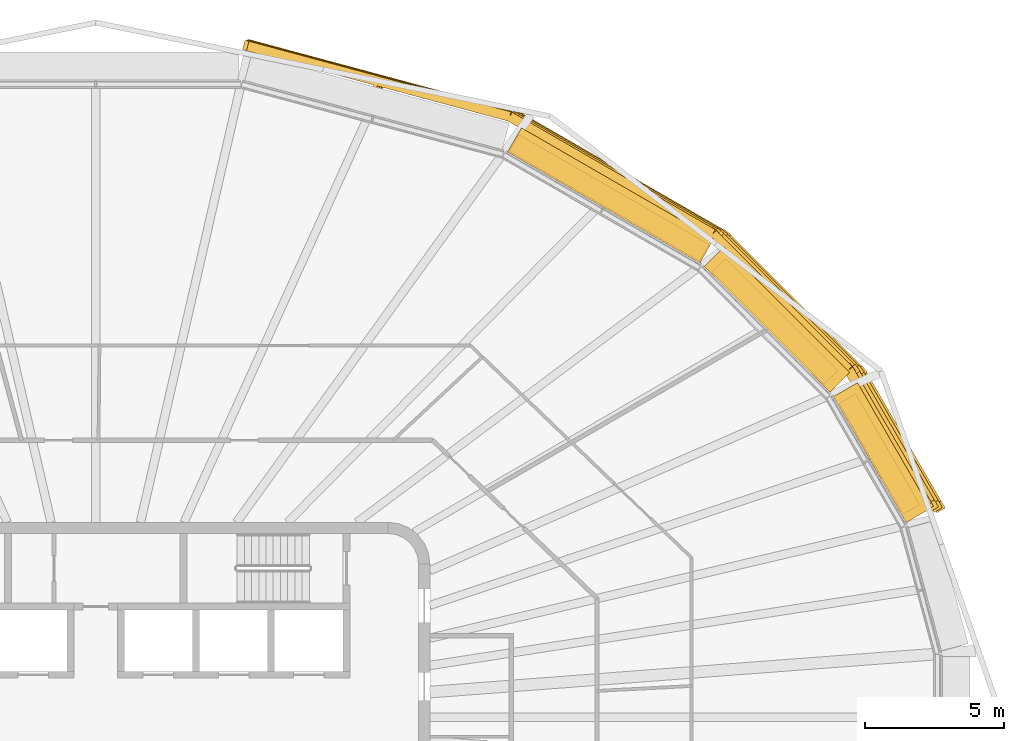
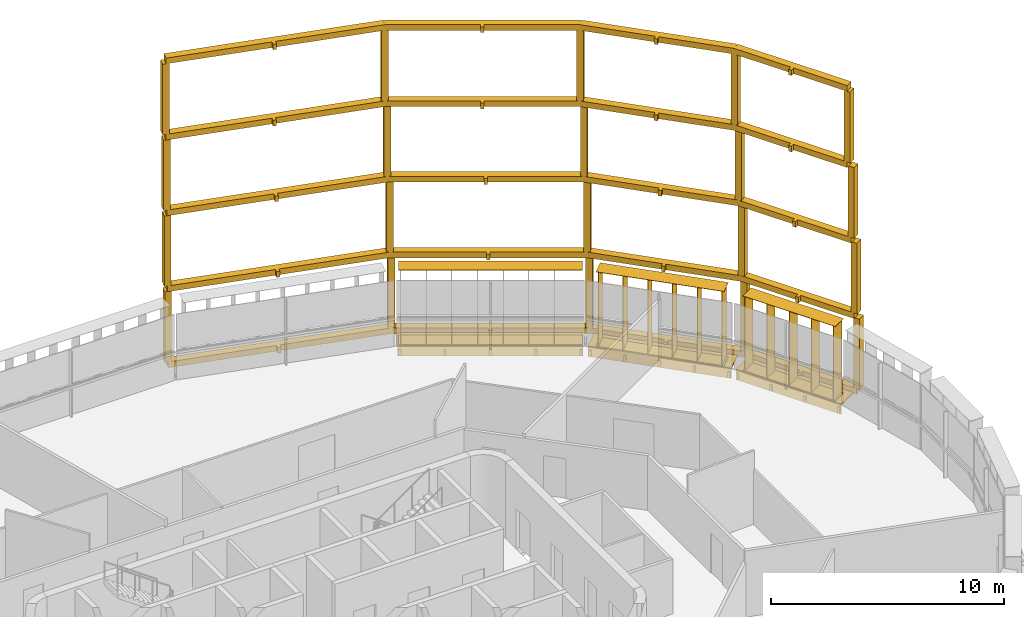
# One storey, part 20 of 20: 7 shading devices.
"""IFC4 building model written with IfcOpenShell, lengths in metres."""

from ifc_helpers import new_model, si_unit, direction, frame, origin, origin_2d, place, context, subcontext, project, spatial, polyline, rectangle, outline, extrude, material, type_object, element, save


model = new_model("IFC4")

# Units and contexts
model_context = context("Model", 3, precision=1e-05, world=origin(), true_north=direction((0.0, 1.0)))
body_context = subcontext(model_context, "Body", "Model", "MODEL_VIEW")
ifc_project = project(units=[si_unit("LENGTHUNIT", "METRE"), si_unit("AREAUNIT", "SQUARE_METRE"), si_unit("VOLUMEUNIT", "CUBIC_METRE"), si_unit("PLANEANGLEUNIT", "RADIAN"), si_unit("MASSUNIT", "GRAM", prefix="KILO")], contexts=[model_context])

# Site, building, storey
site_placement = place(None, origin())
site = spatial("IfcSite", under=ifc_project, at=site_placement, CompositionType="ELEMENT")
building_placement = place(site_placement, origin())
building = spatial("IfcBuilding", under=site, at=building_placement, Name="Sahrelin Media Tower", CompositionType="ELEMENT")
storey_placement = place(building_placement, frame((0.0, 0.0, 255.0)))
storey = spatial("IfcBuildingStorey", under=building, at=storey_placement, Name="L55", CompositionType="ELEMENT", Elevation=255.0)

# Shading devices
ifc_material_1 = material(Name="Dark bronze anodised aluminium 6063-T6", Category="aluminium")
shading_device_type_1 = type_object("IfcShadingDeviceType", Name="Deep frame", PredefinedType="USERDEFINED", material=ifc_material_1)
shading_device_1_placement = place(storey_placement, frame((29.141357421875, 6.89404296875, 0.0), z_axis=(0.0, 0.0, 1.0), x_axis=(0.500011000363, -0.866019052629, 0.0)))
element("IfcShadingDevice", 1, at=shading_device_1_placement, inside=storey, type_object=shading_device_type_1, Name="L55:FRAME:F5-1", ObjectType="FRAME", PredefinedType="USERDEFINED", context=body_context, shape_type="SweptSolid", body=[
    extrude(rectangle(XDim=0.300048828125, YDim=0.35009765625, at=origin_2d()), frame((0.0, 1.324951171875, 0.14990234375), z_axis=(0.0, 0.0, 1.0), x_axis=(-1.0, 0.0, 0.0)), (0.0, 0.0, 1.0), 3.7001953125),
    extrude(rectangle(XDim=0.300048828125, YDim=0.35009765625, at=origin_2d()), frame((-5.598388671875, 1.313720703125, 0.14990234375), z_axis=(0.0, 0.0, 1.0), x_axis=(-0.991436202368, -0.130591947046, 0.0)), (0.0, 0.0, 1.0), 3.7001953125),
    extrude(rectangle(XDim=0.300048828125, YDim=0.35009765625, at=origin_2d()), frame((-12.28759765625, -0.478759765625, 0.14990234375), z_axis=(0.0, 0.0, 1.0), x_axis=(-0.923876860854, -0.382689882252, 0.0)), (0.0, 0.0, 1.0), 3.7001953125),
    extrude(rectangle(XDim=0.300048828125, YDim=0.35009765625, at=origin_2d()), frame((-19.67138671875, -4.741455078125, 0.14990234375), z_axis=(0.0, 0.0, 1.0), x_axis=(-0.793315089117, -0.608811275668, 0.0)), (0.0, 0.0, 1.0), 3.7001953125),
    extrude(rectangle(XDim=0.300048828125, YDim=0.35009765625, at=origin_2d()), frame((-26.71728515625, -11.771484375, 0.14990234375), z_axis=(0.0, 0.0, 1.0), x_axis=(-0.707106781187, -0.707106781187, 0.0)), (0.0, 0.0, 1.0), 3.7001953125),
    extrude(outline(polyline([(-2.787841796875, 0.969970703125), (-2.6376953125, 0.969970703125), (-2.6376953125, 1.144775390625), (0.00048828125, 1.14990234375), (-0.00048828125, 1.5), (-5.598876953125, 1.48876953125), (-5.598388671875, 1.313720703125), (-5.643798828125, 1.482666015625), (-12.3330078125, -0.3095703125), (-12.28759765625, -0.478759765625), (-12.375244140625, -0.3271484375), (-19.7587890625, -4.590087890625), (-19.67138671875, -4.741455078125), (-19.794921875, -4.61767578125), (-26.8408203125, -11.647705078125), (-26.59375, -11.8955078125), (-23.184814453125, -8.494384765625), (-23.0615234375, -8.617919921875), (-22.955322265625, -8.51171875), (-23.07861328125, -8.388427734375), (-19.56396484375, -4.881591796875), (-15.956787109375, -2.79931640625), (-15.87255859375, -2.9453125), (-15.74267578125, -2.8701171875), (-15.826904296875, -2.72412109375), (-12.22021484375, -0.641845703125), (-8.97021484375, 0.22900390625), (-8.926513671875, 0.066162109375), (-8.78173828125, 0.10498046875), (-8.825439453125, 0.267822265625), (-5.5751953125, 1.138671875), (-2.787841796875, 1.144287109375), (-2.787841796875, 0.969970703125)])), frame((0.0, 0.0, -0.14990234375)), (0.0, 0.0, 1.0), 0.2998046875),
    extrude(rectangle(XDim=0.300048828125, YDim=0.35009765625, at=origin_2d()), frame((-0.0654296875, 1.242919921875, 4.14990234375), z_axis=(0.0, 0.0, 1.0), x_axis=(-1.0, 0.0, 0.0)), (0.0, 0.0, 1.0), 3.7001953125),
    extrude(rectangle(XDim=0.300048828125, YDim=0.35009765625, at=origin_2d()), frame((-5.669677734375, 1.2314453125, 4.14990234375), z_axis=(0.0, 0.0, 1.0), x_axis=(-0.991447594891, -0.130505427419, 0.0)), (0.0, 0.0, 1.0), 3.7001953125),
    extrude(rectangle(XDim=0.300048828125, YDim=0.35009765625, at=origin_2d()), frame((-12.35400390625, -0.5595703125, 4.14990234375), z_axis=(0.0, 0.0, 1.0), x_axis=(-0.923876860854, -0.382689882252, 0.0)), (0.0, 0.0, 1.0), 3.7001953125),
    extrude(rectangle(XDim=0.300048828125, YDim=0.35009765625, at=origin_2d()), frame((-19.715576171875, -4.809814453125, 4.14990234375), z_axis=(0.0, 0.0, 1.0), x_axis=(-0.793352277801, -0.608762813671, 0.0)), (0.0, 0.0, 1.0), 3.7001953125),
    extrude(rectangle(XDim=0.300048828125, YDim=0.35009765625, at=origin_2d()), frame((-26.7255859375, -11.8037109375, 4.14990234375), z_axis=(0.0, 0.0, 1.0), x_axis=(-0.707106781187, -0.707106781187, 0.0)), (0.0, 0.0, 1.0), 3.7001953125),
    extrude(outline(polyline([(-2.856201171875, 0.8876953125), (-2.7060546875, 0.8876953125), (-2.7060546875, 1.0625), (-0.065185546875, 1.06787109375), (-0.06591796875, 1.417724609375), (-5.670166015625, 1.406494140625), (-5.669677734375, 1.2314453125), (-5.715087890625, 1.400390625), (-12.399169921875, -0.390625), (-12.35400390625, -0.5595703125), (-12.44140625, -0.407958984375), (-19.802978515625, -4.658203125), (-19.715576171875, -4.809814453125), (-19.839111328125, -4.685791015625), (-26.84912109375, -11.679931640625), (-26.60205078125, -11.927490234375), (-23.211181640625, -8.544677734375), (-23.087890625, -8.66796875), (-22.981689453125, -8.56201171875), (-23.10498046875, -8.438720703125), (-19.6083984375, -4.949951171875), (-16.01220703125, -2.873779296875), (-15.927978515625, -3.019775390625), (-15.798095703125, -2.94482421875), (-15.88232421875, -2.798828125), (-12.286376953125, -0.72265625), (-9.0390625, 0.1474609375), (-8.995361328125, -0.015380859375), (-8.850341796875, 0.0234375), (-8.89404296875, 0.186279296875), (-5.646484375, 1.056396484375), (-2.856201171875, 1.06201171875), (-2.856201171875, 0.8876953125)])), frame((0.0, 0.0, 3.85009765625)), (0.0, 0.0, 1.0), 0.2998046875),
    extrude(rectangle(XDim=0.300048828125, YDim=0.35009765625, at=origin_2d()), frame((-0.154052734375, 1.131591796875, 8.14990234375), z_axis=(0.0, 0.0, 1.0), x_axis=(-1.0, 0.0, 0.0)), (0.0, 0.0, 1.0), 3.7001953125),
    extrude(rectangle(XDim=0.300048828125, YDim=0.35009765625, at=origin_2d()), frame((-5.76611328125, 1.120361328125, 8.14990234375), z_axis=(0.0, 0.0, 1.0), x_axis=(-0.991449189241, -0.130493314592, 0.0)), (0.0, 0.0, 1.0), 3.7001953125),
    extrude(rectangle(XDim=0.300048828125, YDim=0.35009765625, at=origin_2d()), frame((-12.443603515625, -0.668701171875, 8.14990234375), z_axis=(0.0, 0.0, 1.0), x_axis=(-0.923876860854, -0.382689882252, 0.0)), (0.0, 0.0, 1.0), 3.7001953125),
    extrude(rectangle(XDim=0.300048828125, YDim=0.35009765625, at=origin_2d()), frame((-19.775390625, -4.902099609375, 8.14990234375), z_axis=(0.0, 0.0, 1.0), x_axis=(-0.793400087474, -0.608700502051, 0.0)), (0.0, 0.0, 1.0), 3.7001953125),
    extrude(rectangle(XDim=0.300048828125, YDim=0.35009765625, at=origin_2d()), frame((-26.73681640625, -11.84716796875, 8.14990234375), z_axis=(0.0, 0.0, 1.0), x_axis=(-0.707106781187, -0.707106781187, 0.0)), (0.0, 0.0, 1.0), 3.7001953125),
    extrude(outline(polyline([(-2.948486328125, 0.776611328125), (-2.798583984375, 0.776611328125), (-2.798583984375, 0.951416015625), (-0.15380859375, 0.956787109375), (-0.154296875, 1.306640625), (-5.766357421875, 1.29541015625), (-5.76611328125, 1.120361328125), (-5.811279296875, 1.289306640625), (-12.48876953125, -0.499755859375), (-12.443603515625, -0.668701171875), (-12.531005859375, -0.517333984375), (-19.86279296875, -4.75048828125), (-19.775390625, -4.902099609375), (-19.89892578125, -4.778076171875), (-26.8603515625, -11.72314453125), (-26.613037109375, -11.970947265625), (-23.24658203125, -8.6123046875), (-23.123291015625, -8.735595703125), (-23.01708984375, -8.629638671875), (-23.140380859375, -8.50634765625), (-19.668212890625, -5.0419921875), (-16.0869140625, -2.974365234375), (-16.002685546875, -3.12060546875), (-15.872802734375, -3.04541015625), (-15.95703125, -2.8994140625), (-12.3759765625, -0.831787109375), (-9.1318359375, 0.037353515625), (-9.08837890625, -0.12548828125), (-8.943359375, -0.0869140625), (-8.987060546875, 0.076171875), (-5.742919921875, 0.945556640625), (-2.948486328125, 0.951171875), (-2.948486328125, 0.776611328125)])), frame((0.0, 0.0, 7.85009765625)), (0.0, 0.0, 1.0), 0.2998046875),
    extrude(rectangle(XDim=0.300048828125, YDim=0.35009765625, at=origin_2d()), frame((-0.26611328125, 0.991943359375, 12.14990234375), z_axis=(0.0, 0.0, 1.0), x_axis=(-1.0, 0.0, 0.0)), (0.0, 0.0, 1.0), 3.7001953125),
    extrude(rectangle(XDim=0.300048828125, YDim=0.35009765625, at=origin_2d()), frame((-5.8876953125, 0.98046875, 12.14990234375), z_axis=(0.0, 0.0, 1.0), x_axis=(-0.991447594891, -0.130505427419, 0.0)), (0.0, 0.0, 1.0), 3.7001953125),
    extrude(rectangle(XDim=0.300048828125, YDim=0.35009765625, at=origin_2d()), frame((-12.556396484375, -0.806396484375, 12.14990234375), z_axis=(0.0, 0.0, 1.0), x_axis=(-0.923912256654, -0.382604419741, 0.0)), (0.0, 0.0, 1.0), 3.7001953125),
    extrude(rectangle(XDim=0.300048828125, YDim=0.35009765625, at=origin_2d()), frame((-19.8505859375, -5.017578125, 12.14990234375), z_axis=(0.0, 0.0, 1.0), x_axis=(-0.793315089117, -0.608811275668, 0.0)), (0.0, 0.0, 1.0), 3.7001953125),
    extrude(rectangle(XDim=0.300048828125, YDim=0.35009765625, at=origin_2d()), frame((-26.75048828125, -11.901611328125, 12.14990234375), z_axis=(0.0, 0.0, 1.0), x_axis=(-0.707106781187, -0.707106781187, 0.0)), (0.0, 0.0, 1.0), 3.7001953125),
    extrude(outline(polyline([(-3.0654296875, 0.63671875), (-2.915283203125, 0.63671875), (-2.915283203125, 0.8115234375), (-0.265625, 0.81689453125), (-0.266357421875, 1.1669921875), (-5.887939453125, 1.155517578125), (-5.8876953125, 0.98046875), (-5.93310546875, 1.1494140625), (-12.6015625, -0.63720703125), (-12.556396484375, -0.806396484375), (-12.643798828125, -0.65478515625), (-19.93798828125, -4.8662109375), (-19.8505859375, -5.017578125), (-19.97412109375, -4.893798828125), (-26.874267578125, -11.777587890625), (-26.626953125, -12.025390625), (-23.291015625, -8.697509765625), (-23.167724609375, -8.82080078125), (-23.061767578125, -8.71484375), (-23.184814453125, -8.591552734375), (-19.7431640625, -5.15771484375), (-16.180908203125, -3.10107421875), (-16.0966796875, -3.247314453125), (-15.966796875, -3.172119140625), (-16.051025390625, -3.026123046875), (-12.48876953125, -0.969482421875), (-9.2490234375, -0.101318359375), (-9.20556640625, -0.264404296875), (-9.060546875, -0.2255859375), (-9.104248046875, -0.0625), (-5.864501953125, 0.805419921875), (-3.0654296875, 0.811279296875), (-3.0654296875, 0.63671875)])), frame((0.0, 0.0, 11.85009765625)), (0.0, 0.0, 1.0), 0.2998046875),
    extrude(outline(polyline([(-3.0654296875, 0.63671875), (-2.915283203125, 0.63671875), (-2.915283203125, 0.8115234375), (-0.265625, 0.81689453125), (-0.266357421875, 1.1669921875), (-5.887939453125, 1.155517578125), (-5.8876953125, 0.98046875), (-5.93310546875, 1.1494140625), (-12.6015625, -0.63720703125), (-12.556396484375, -0.806396484375), (-12.643798828125, -0.65478515625), (-19.93798828125, -4.8662109375), (-19.8505859375, -5.017578125), (-19.97412109375, -4.893798828125), (-26.874267578125, -11.777587890625), (-26.626953125, -12.025390625), (-23.291015625, -8.697509765625), (-23.167724609375, -8.82080078125), (-23.061767578125, -8.71484375), (-23.184814453125, -8.591552734375), (-19.7431640625, -5.15771484375), (-16.180908203125, -3.10107421875), (-16.0966796875, -3.247314453125), (-15.966796875, -3.172119140625), (-16.051025390625, -3.026123046875), (-12.48876953125, -0.969482421875), (-9.2490234375, -0.101318359375), (-9.20556640625, -0.264404296875), (-9.060546875, -0.2255859375), (-9.104248046875, -0.0625), (-5.864501953125, 0.805419921875), (-3.0654296875, 0.811279296875), (-3.0654296875, 0.63671875)])), frame((0.0, 0.0, 15.85009765625)), (0.0, 0.0, 1.0), 0.2998046875),
])
ifc_material_2 = material(Name="Champagne anodised aluminium 6063-T6", Category="aluminium")
shading_device_type_2 = type_object("IfcShadingDeviceType", Name="Fin cassette", PredefinedType="USERDEFINED", material=ifc_material_2)
placement_1 = place(storey_placement, frame((27.784912109375, 9.243408203125, 0.0), z_axis=(0.0, 0.0, 1.0), x_axis=(0.500011000363, -0.866019052629, 0.0)))
element("IfcShadingDevice", 2, at=placement_1, inside=storey, type_object=shading_device_type_2, Name="L55:FIN:L55-02", ObjectType="FIN", PredefinedType="USERDEFINED", context=body_context, shape_type="SweptSolid", body=[
    extrude(rectangle(XDim=4.60009765625, YDim=0.699951171875, at=origin_2d()), frame((0.0, 0.419921875, 0.0)), (0.0, 0.0, 1.0), 0.02001953125),
    extrude(rectangle(XDim=4.60009765625, YDim=0.699951171875, at=origin_2d()), frame((0.0, 0.419921875, 3.89990234375)), (0.0, 0.0, 1.0), 0.02001953125),
    extrude(rectangle(XDim=0.02001953125, YDim=0.699951171875, at=origin_2d()), frame((-2.199951171875, 0.419921875, 0.010009765625), z_axis=(0.0, 0.0, 1.0), x_axis=(1.0, 0.0, 0.0)), (0.0, 0.0, 1.0), 3.89990234375),
    extrude(rectangle(XDim=0.02001953125, YDim=0.699951171875, at=origin_2d()), frame((-1.10009765625, 0.419921875, 0.010009765625), z_axis=(0.0, 0.0, 1.0), x_axis=(1.0, 0.0, 0.0)), (0.0, 0.0, 1.0), 3.89990234375),
    extrude(rectangle(XDim=0.02001953125, YDim=0.699951171875, at=origin_2d()), frame((0.0, 0.419921875, 0.010009765625), z_axis=(0.0, 0.0, 1.0), x_axis=(1.0, 0.0, 0.0)), (0.0, 0.0, 1.0), 3.89990234375),
    extrude(rectangle(XDim=0.02001953125, YDim=0.699951171875, at=origin_2d()), frame((1.10009765625, 0.419921875, 0.010009765625), z_axis=(0.0, 0.0, 1.0), x_axis=(1.0, 0.0, 0.0)), (0.0, 0.0, 1.0), 3.89990234375),
    extrude(rectangle(XDim=0.02001953125, YDim=0.699951171875, at=origin_2d()), frame((2.199951171875, 0.419921875, 0.010009765625), z_axis=(0.0, 0.0, 1.0), x_axis=(1.0, 0.0, 0.0)), (0.0, 0.0, 1.0), 3.89990234375),
])
placement_2 = place(storey_placement, frame((24.102294921875, 13.9189453125, 0.0), z_axis=(0.0, 0.0, 1.0), x_axis=(0.707106781187, -0.707106781187, 0.0)))
element("IfcShadingDevice", 3, at=placement_2, inside=storey, type_object=shading_device_type_2, Name="L55:FIN:L55-03", ObjectType="FIN", PredefinedType="USERDEFINED", context=body_context, shape_type="SweptSolid", body=[
    extrude(rectangle(XDim=5.699951171875, YDim=0.699951171875, at=origin_2d()), frame((0.0, 0.419921875, 0.0)), (0.0, 0.0, 1.0), 0.02001953125),
    extrude(rectangle(XDim=5.699951171875, YDim=0.699951171875, at=origin_2d()), frame((0.0, 0.419921875, 3.89990234375)), (0.0, 0.0, 1.0), 0.02001953125),
    extrude(rectangle(XDim=0.02001953125, YDim=0.699951171875, at=origin_2d()), frame((-2.75, 0.419921875, 0.010009765625), z_axis=(0.0, 0.0, 1.0), x_axis=(1.0, 0.0, 0.0)), (0.0, 0.0, 1.0), 3.89990234375),
    extrude(rectangle(XDim=0.02001953125, YDim=0.699951171875, at=origin_2d()), frame((-1.64990234375, 0.419921875, 0.010009765625), z_axis=(0.0, 0.0, 1.0), x_axis=(1.0, 0.0, 0.0)), (0.0, 0.0, 1.0), 3.89990234375),
    extrude(rectangle(XDim=0.02001953125, YDim=0.699951171875, at=origin_2d()), frame((-0.550048828125, 0.419921875, 0.010009765625), z_axis=(0.0, 0.0, 1.0), x_axis=(1.0, 0.0, 0.0)), (0.0, 0.0, 1.0), 3.89990234375),
    extrude(rectangle(XDim=0.02001953125, YDim=0.699951171875, at=origin_2d()), frame((0.550048828125, 0.419921875, 0.010009765625), z_axis=(0.0, 0.0, 1.0), x_axis=(1.0, 0.0, 0.0)), (0.0, 0.0, 1.0), 3.89990234375),
    extrude(rectangle(XDim=0.02001953125, YDim=0.699951171875, at=origin_2d()), frame((1.64990234375, 0.419921875, 0.010009765625), z_axis=(0.0, 0.0, 1.0), x_axis=(1.0, 0.0, 0.0)), (0.0, 0.0, 1.0), 3.89990234375),
    extrude(rectangle(XDim=0.02001953125, YDim=0.699951171875, at=origin_2d()), frame((2.75, 0.419921875, 0.010009765625), z_axis=(0.0, 0.0, 1.0), x_axis=(1.0, 0.0, 0.0)), (0.0, 0.0, 1.0), 3.89990234375),
])
placement_3 = place(storey_placement, frame((18.234375, 18.2900390625, 0.0), z_axis=(0.0, 0.0, 1.0), x_axis=(0.866019052629, -0.500011000363, 0.0)))
element("IfcShadingDevice", 4, at=placement_3, inside=storey, type_object=shading_device_type_2, Name="L55:FIN:L55-04", ObjectType="FIN", PredefinedType="USERDEFINED", context=body_context, shape_type="SweptSolid", body=[
    extrude(rectangle(XDim=7.89990234375, YDim=0.699951171875, at=origin_2d()), frame((0.0, 0.419921875, 0.0)), (0.0, 0.0, 1.0), 0.02001953125),
    extrude(rectangle(XDim=7.89990234375, YDim=0.699951171875, at=origin_2d()), frame((0.0, 0.419921875, 3.89990234375)), (0.0, 0.0, 1.0), 0.02001953125),
    extrude(rectangle(XDim=0.02001953125, YDim=0.699951171875, at=origin_2d()), frame((-3.85009765625, 0.419921875, 0.010009765625), z_axis=(0.0, 0.0, 1.0), x_axis=(1.0, 0.0, 0.0)), (0.0, 0.0, 1.0), 3.89990234375),
    extrude(rectangle(XDim=0.02001953125, YDim=0.699951171875, at=origin_2d()), frame((-2.75, 0.419921875, 0.010009765625), z_axis=(0.0, 0.0, 1.0), x_axis=(1.0, 0.0, 0.0)), (0.0, 0.0, 1.0), 3.89990234375),
    extrude(rectangle(XDim=0.02001953125, YDim=0.699951171875, at=origin_2d()), frame((-1.64990234375, 0.419921875, 0.010009765625), z_axis=(0.0, 0.0, 1.0), x_axis=(1.0, 0.0, 0.0)), (0.0, 0.0, 1.0), 3.89990234375),
    extrude(rectangle(XDim=0.02001953125, YDim=0.699951171875, at=origin_2d()), frame((-0.550048828125, 0.419921875, 0.010009765625), z_axis=(0.0, 0.0, 1.0), x_axis=(1.0, 0.0, 0.0)), (0.0, 0.0, 1.0), 3.89990234375),
    extrude(rectangle(XDim=0.02001953125, YDim=0.699951171875, at=origin_2d()), frame((0.550048828125, 0.419921875, 0.010009765625), z_axis=(0.0, 0.0, 1.0), x_axis=(1.0, 0.0, 0.0)), (0.0, 0.0, 1.0), 3.89990234375),
    extrude(rectangle(XDim=0.02001953125, YDim=0.699951171875, at=origin_2d()), frame((1.64990234375, 0.419921875, 0.010009765625), z_axis=(0.0, 0.0, 1.0), x_axis=(1.0, 0.0, 0.0)), (0.0, 0.0, 1.0), 3.89990234375),
    extrude(rectangle(XDim=0.02001953125, YDim=0.699951171875, at=origin_2d()), frame((2.75, 0.419921875, 0.010009765625), z_axis=(0.0, 0.0, 1.0), x_axis=(1.0, 0.0, 0.0)), (0.0, 0.0, 1.0), 3.89990234375),
    extrude(rectangle(XDim=0.02001953125, YDim=0.699951171875, at=origin_2d()), frame((3.85009765625, 0.419921875, 0.010009765625), z_axis=(0.0, 0.0, 1.0), x_axis=(1.0, 0.0, 0.0)), (0.0, 0.0, 1.0), 3.89990234375),
])
shading_device_type_3 = type_object("IfcShadingDeviceType", Name="Sunshade band", PredefinedType="USERDEFINED", material=ifc_material_2)
element("IfcShadingDevice", 5, at=placement_1, inside=storey, type_object=shading_device_type_3, Name="L55:SUN:L55-02", ObjectType="SUNSHADE", PredefinedType="USERDEFINED", context=body_context, shape_type="SweptSolid", body=[
    extrude(rectangle(XDim=5.2255859375, YDim=0.050048828125, at=origin_2d()), frame((0.0, 0.044921875, -0.55126953125)), (0.0, 0.0, 1.0), 0.471435546875),
    extrude(rectangle(XDim=5.2255859375, YDim=1.0, at=origin_2d()), frame((0.0, 0.52001953125, -0.080078125)), (0.0, 0.0, 1.0), 0.080078125),
    extrude(rectangle(XDim=0.10009765625, YDim=0.074951171875, at=origin_2d()), frame((-2.5126953125, -0.017578125, -0.47021484375)), (0.0, 0.0, 1.0), 0.300048828125),
    extrude(rectangle(XDim=0.10009765625, YDim=0.074951171875, at=origin_2d()), frame((-0.837646484375, -0.017578125, -0.47021484375)), (0.0, 0.0, 1.0), 0.300048828125),
    extrude(rectangle(XDim=0.10009765625, YDim=0.074951171875, at=origin_2d()), frame((0.837646484375, -0.017578125, -0.47021484375)), (0.0, 0.0, 1.0), 0.300048828125),
    extrude(rectangle(XDim=0.10009765625, YDim=0.074951171875, at=origin_2d()), frame((2.5126953125, -0.017578125, -0.47021484375)), (0.0, 0.0, 1.0), 0.300048828125),
])
element("IfcShadingDevice", 6, at=placement_2, inside=storey, type_object=shading_device_type_3, Name="L55:SUN:L55-03", ObjectType="SUNSHADE", PredefinedType="USERDEFINED", context=body_context, shape_type="SweptSolid", body=[
    extrude(rectangle(XDim=6.379150390625, YDim=0.050048828125, at=origin_2d()), frame((0.0, 0.044921875, -0.55126953125)), (0.0, 0.0, 1.0), 0.471435546875),
    extrude(rectangle(XDim=6.379150390625, YDim=1.0, at=origin_2d()), frame((0.0, 0.52001953125, -0.080078125)), (0.0, 0.0, 1.0), 0.080078125),
    extrude(rectangle(XDim=0.10009765625, YDim=0.074951171875, at=origin_2d()), frame((-3.089599609375, -0.017578125, -0.47021484375)), (0.0, 0.0, 1.0), 0.300048828125),
    extrude(rectangle(XDim=0.10009765625, YDim=0.074951171875, at=origin_2d()), frame((-1.544921875, -0.017578125, -0.47021484375)), (0.0, 0.0, 1.0), 0.300048828125),
    extrude(rectangle(XDim=0.10009765625, YDim=0.074951171875, at=origin_2d()), frame((0.0, -0.017578125, -0.47021484375)), (0.0, 0.0, 1.0), 0.300048828125),
    extrude(rectangle(XDim=0.10009765625, YDim=0.074951171875, at=origin_2d()), frame((1.544921875, -0.017578125, -0.47021484375)), (0.0, 0.0, 1.0), 0.300048828125),
    extrude(rectangle(XDim=0.10009765625, YDim=0.074951171875, at=origin_2d()), frame((3.089599609375, -0.017578125, -0.47021484375)), (0.0, 0.0, 1.0), 0.300048828125),
])
element("IfcShadingDevice", 7, at=placement_3, inside=storey, type_object=shading_device_type_3, Name="L55:SUN:L55-04", ObjectType="SUNSHADE", PredefinedType="USERDEFINED", context=body_context, shape_type="SweptSolid", body=[
    extrude(rectangle(XDim=7.97998046875, YDim=0.050048828125, at=origin_2d()), frame((0.0, 0.044921875, -0.55126953125)), (0.0, 0.0, 1.0), 0.471435546875),
    extrude(rectangle(XDim=7.97998046875, YDim=1.0, at=origin_2d()), frame((0.0, 0.52001953125, -0.080078125)), (0.0, 0.0, 1.0), 0.080078125),
    extrude(rectangle(XDim=0.10009765625, YDim=0.074951171875, at=origin_2d()), frame((-3.889892578125, -0.017578125, -0.47021484375)), (0.0, 0.0, 1.0), 0.300048828125),
    extrude(rectangle(XDim=0.10009765625, YDim=0.074951171875, at=origin_2d()), frame((-1.945068359375, -0.017578125, -0.47021484375)), (0.0, 0.0, 1.0), 0.300048828125),
    extrude(rectangle(XDim=0.10009765625, YDim=0.074951171875, at=origin_2d()), frame((0.0, -0.017578125, -0.47021484375)), (0.0, 0.0, 1.0), 0.300048828125),
    extrude(rectangle(XDim=0.10009765625, YDim=0.074951171875, at=origin_2d()), frame((1.945068359375, -0.017578125, -0.47021484375)), (0.0, 0.0, 1.0), 0.300048828125),
    extrude(rectangle(XDim=0.10009765625, YDim=0.074951171875, at=origin_2d()), frame((3.889892578125, -0.017578125, -0.47021484375)), (0.0, 0.0, 1.0), 0.300048828125),
])

save(model, "model.ifc")
